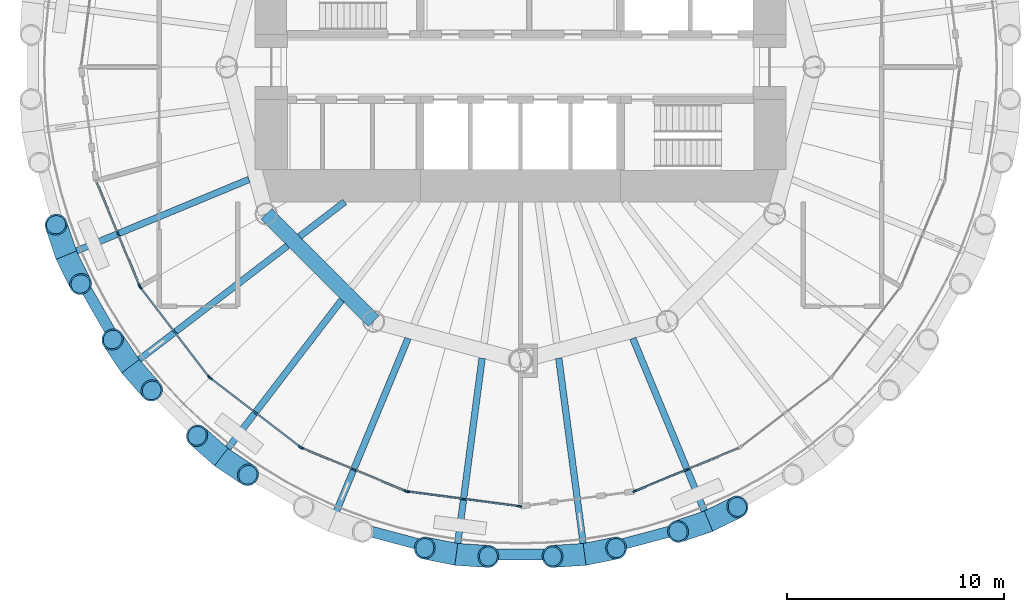
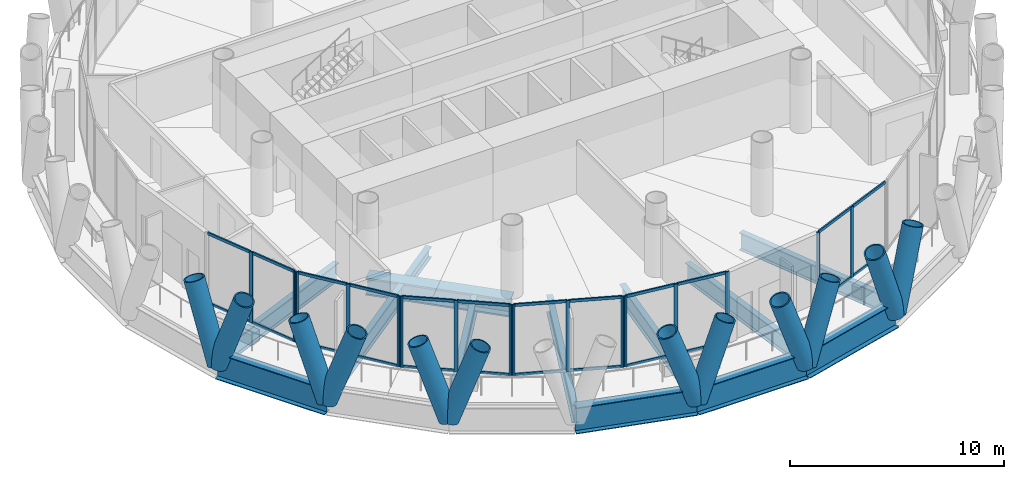
# One storey, part 2 of 13: 52 members, 13 beams, 6 elements without a shape of their own.
"""IFC4 building model written with IfcOpenShell, lengths in metres."""

from ifc_helpers import new_model, si_unit, direction, frame, origin, origin_2d, place, context, subcontext, project, spatial, rectangle, hollow_circle, i_section, extrude, material, material_profile, profile_set, type_object, element, aggregate, save


model = new_model("IFC4")

# Units and contexts
model_context = context("Model", 3, precision=1e-05, world=origin(), true_north=direction((0.0, 1.0)))
body_context = subcontext(model_context, "Body", "Model", "MODEL_VIEW")
ifc_project = project(units=[si_unit("LENGTHUNIT", "METRE"), si_unit("AREAUNIT", "SQUARE_METRE"), si_unit("VOLUMEUNIT", "CUBIC_METRE"), si_unit("PLANEANGLEUNIT", "RADIAN"), si_unit("MASSUNIT", "GRAM", prefix="KILO")], contexts=[model_context])

# Site, building, storey
site_placement = place(None, origin())
site = spatial("IfcSite", under=ifc_project, at=site_placement, CompositionType="ELEMENT")
building_placement = place(site_placement, origin())
building = spatial("IfcBuilding", under=site, at=building_placement, Name="Qaws Media Tower", CompositionType="ELEMENT")
storey_placement = place(building_placement, frame((0.0, 0.0, 219.199951171875)))
storey = spatial("IfcBuildingStorey", under=building, at=storey_placement, Name="L50", CompositionType="ELEMENT", Elevation=219.199951171875)

# Curtain wall, members
ifc_material_1 = material(Name="Aluminium and clear glass", Category="aluminium")
curtain_wall_type = type_object("IfcCurtainWallType", Name="Unitised curtain wall CW-C", PredefinedType="NOTDEFINED", material=ifc_material_1)
curtain_wall_1_placement = place(storey_placement, origin())
curtain_wall_1 = element("IfcCurtainWall", 1, at=curtain_wall_1_placement, inside=storey, type_object=curtain_wall_type, Name="CWC curtain wall L50-14", PredefinedType="NOTDEFINED")
ifc_material_2 = material(Name="Aluminium mullion", Category="aluminium")
ifc_material_profile_1 = material_profile(ifc_material_2, rectangle(XDim=0.080078125, YDim=0.199951171875, at=origin_2d()), Name="80x200")
ifc_profile_set_1 = profile_set([ifc_material_profile_1], Name="Aluminium mullion")
member_type_1 = type_object("IfcMemberType", Name="Curtain wall mullion 80x200", PredefinedType="MULLION", material=ifc_profile_set_1)
member_1_placement = place(storey_placement, frame((41.497314453125, 42.3359375, 0.0), z_axis=(0.0, 0.0, 1.0), x_axis=(0.923879493285, 0.382683527066, 0.0)))
member_1 = element("IfcMember", 2, at=member_1_placement, type_object=member_type_1, Name="CWC mullion 2", PredefinedType="MULLION", context=body_context, shape_type="SweptSolid", body=[
    extrude(rectangle(XDim=0.080078125, YDim=0.199951171875, at=origin_2d()), origin(), (0.0, 0.0, 1.0), 4.0400390625),
])
member_2_placement = place(storey_placement, frame((42.490966796875, 39.93701171875, 0.0), z_axis=(0.0, 0.0, 1.0), x_axis=(0.923879493285, 0.382683527066, 0.0)))
member_2 = element("IfcMember", 3, at=member_2_placement, type_object=member_type_1, Name="CWC mullion 3", PredefinedType="MULLION", context=body_context, shape_type="SweptSolid", body=[
    extrude(rectangle(XDim=0.080078125, YDim=0.199951171875, at=origin_2d()), origin(), (0.0, 0.0, 1.0), 4.0400390625),
])

curtain_wall_2_placement = place(storey_placement, origin())
curtain_wall_2 = element("IfcCurtainWall", 4, at=curtain_wall_2_placement, inside=storey, type_object=curtain_wall_type, Name="CWC curtain wall L50-15", PredefinedType="NOTDEFINED")
member_3_placement = place(storey_placement, frame((42.530517578125, 39.8681640625, 0.0), z_axis=(0.0, 0.0, 1.0), x_axis=(0.793353357865, 0.608761406106, 0.0)))
member_3 = element("IfcMember", 5, at=member_3_placement, type_object=member_type_1, Name="CWC mullion 1", PredefinedType="MULLION", context=body_context, shape_type="SweptSolid", body=[
    extrude(rectangle(XDim=0.080078125, YDim=0.199951171875, at=origin_2d()), origin(), (0.0, 0.0, 1.0), 4.0400390625),
])
member_4_placement = place(storey_placement, frame((44.111328125, 37.80810546875, 0.0), z_axis=(0.0, 0.0, 1.0), x_axis=(0.793353357865, 0.608761406106, 0.0)))
member_4 = element("IfcMember", 6, at=member_4_placement, type_object=member_type_1, Name="CWC mullion 2", PredefinedType="MULLION", context=body_context, shape_type="SweptSolid", body=[
    extrude(rectangle(XDim=0.080078125, YDim=0.199951171875, at=origin_2d()), origin(), (0.0, 0.0, 1.0), 4.0400390625),
])
member_5_placement = place(storey_placement, frame((45.692138671875, 35.748291015625, 0.0), z_axis=(0.0, 0.0, 1.0), x_axis=(0.793353357865, 0.608761406106, 0.0)))
member_5 = element("IfcMember", 7, at=member_5_placement, type_object=member_type_1, Name="CWC mullion 3", PredefinedType="MULLION", context=body_context, shape_type="SweptSolid", body=[
    extrude(rectangle(XDim=0.080078125, YDim=0.199951171875, at=origin_2d()), origin(), (0.0, 0.0, 1.0), 4.0400390625),
])

curtain_wall_3_placement = place(storey_placement, origin())
curtain_wall_3 = element("IfcCurtainWall", 8, at=curtain_wall_3_placement, inside=storey, type_object=curtain_wall_type, Name="CWC curtain wall L50-16", PredefinedType="NOTDEFINED")
member_6_placement = place(storey_placement, frame((45.748291015625, 35.692138671875, 0.0), z_axis=(0.0, 0.0, 1.0), x_axis=(0.608761406106, 0.793353357865, 0.0)))
member_6 = element("IfcMember", 9, at=member_6_placement, type_object=member_type_1, Name="CWC mullion 1", PredefinedType="MULLION", context=body_context, shape_type="SweptSolid", body=[
    extrude(rectangle(XDim=0.080078125, YDim=0.199951171875, at=origin_2d()), origin(), (0.0, 0.0, 1.0), 4.0400390625),
])
member_7_placement = place(storey_placement, frame((47.80810546875, 34.111328125, 0.0), z_axis=(0.0, 0.0, 1.0), x_axis=(0.608761406106, 0.793353357865, 0.0)))
member_7 = element("IfcMember", 10, at=member_7_placement, type_object=member_type_1, Name="CWC mullion 2", PredefinedType="MULLION", context=body_context, shape_type="SweptSolid", body=[
    extrude(rectangle(XDim=0.080078125, YDim=0.199951171875, at=origin_2d()), origin(), (0.0, 0.0, 1.0), 4.0400390625),
])
member_8_placement = place(storey_placement, frame((49.8681640625, 32.530517578125, 0.0), z_axis=(0.0, 0.0, 1.0), x_axis=(0.608761406106, 0.793353357865, 0.0)))
member_8 = element("IfcMember", 11, at=member_8_placement, type_object=member_type_1, Name="CWC mullion 3", PredefinedType="MULLION", context=body_context, shape_type="SweptSolid", body=[
    extrude(rectangle(XDim=0.080078125, YDim=0.199951171875, at=origin_2d()), origin(), (0.0, 0.0, 1.0), 4.0400390625),
])

curtain_wall_4_placement = place(storey_placement, origin())
curtain_wall_4 = element("IfcCurtainWall", 12, at=curtain_wall_4_placement, inside=storey, type_object=curtain_wall_type, Name="CWC curtain wall L50-17", PredefinedType="NOTDEFINED")
member_9_placement = place(storey_placement, frame((49.93701171875, 32.490966796875, 0.0), z_axis=(0.0, 0.0, 1.0), x_axis=(0.382683527066, 0.923879493285, 0.0)))
member_9 = element("IfcMember", 13, at=member_9_placement, type_object=member_type_1, Name="CWC mullion 1", PredefinedType="MULLION", context=body_context, shape_type="SweptSolid", body=[
    extrude(rectangle(XDim=0.080078125, YDim=0.199951171875, at=origin_2d()), origin(), (0.0, 0.0, 1.0), 4.0400390625),
])
member_10_placement = place(storey_placement, frame((52.3359375, 31.497314453125, 0.0), z_axis=(0.0, 0.0, 1.0), x_axis=(0.382683527066, 0.923879493285, 0.0)))
member_10 = element("IfcMember", 14, at=member_10_placement, type_object=member_type_1, Name="CWC mullion 2", PredefinedType="MULLION", context=body_context, shape_type="SweptSolid", body=[
    extrude(rectangle(XDim=0.080078125, YDim=0.199951171875, at=origin_2d()), origin(), (0.0, 0.0, 1.0), 4.0400390625),
])
member_11_placement = place(storey_placement, frame((54.73486328125, 30.503662109375, 0.0), z_axis=(0.0, 0.0, 1.0), x_axis=(0.382683527066, 0.923879493285, 0.0)))
member_11 = element("IfcMember", 15, at=member_11_placement, type_object=member_type_1, Name="CWC mullion 3", PredefinedType="MULLION", context=body_context, shape_type="SweptSolid", body=[
    extrude(rectangle(XDim=0.080078125, YDim=0.199951171875, at=origin_2d()), origin(), (0.0, 0.0, 1.0), 4.0400390625),
])

curtain_wall_5_placement = place(storey_placement, origin())
curtain_wall_5 = element("IfcCurtainWall", 16, at=curtain_wall_5_placement, inside=storey, type_object=curtain_wall_type, Name="CWC curtain wall L50-18", PredefinedType="NOTDEFINED")
member_12_placement = place(storey_placement, frame((54.8115234375, 30.483154296875, 0.0), z_axis=(0.0, 0.0, 1.0), x_axis=(0.130526127538, 0.991444869889, 0.0)))
member_12 = element("IfcMember", 17, at=member_12_placement, type_object=member_type_1, Name="CWC mullion 1", PredefinedType="MULLION", context=body_context, shape_type="SweptSolid", body=[
    extrude(rectangle(XDim=0.080078125, YDim=0.199951171875, at=origin_2d()), origin(), (0.0, 0.0, 1.0), 4.0400390625),
])
member_13_placement = place(storey_placement, frame((57.385986328125, 30.14404296875, 0.0), z_axis=(0.0, 0.0, 1.0), x_axis=(0.130526127538, 0.991444869889, 0.0)))
member_13 = element("IfcMember", 18, at=member_13_placement, type_object=member_type_1, Name="CWC mullion 2", PredefinedType="MULLION", context=body_context, shape_type="SweptSolid", body=[
    extrude(rectangle(XDim=0.080078125, YDim=0.199951171875, at=origin_2d()), origin(), (0.0, 0.0, 1.0), 4.0400390625),
])
member_14_placement = place(storey_placement, frame((59.96044921875, 29.80517578125, 0.0), z_axis=(0.0, 0.0, 1.0), x_axis=(0.130526127538, 0.991444869889, 0.0)))
member_14 = element("IfcMember", 19, at=member_14_placement, type_object=member_type_1, Name="CWC mullion 3", PredefinedType="MULLION", context=body_context, shape_type="SweptSolid", body=[
    extrude(rectangle(XDim=0.080078125, YDim=0.199951171875, at=origin_2d()), origin(), (0.0, 0.0, 1.0), 4.0400390625),
])

curtain_wall_6_placement = place(storey_placement, origin())
curtain_wall_6 = element("IfcCurtainWall", 20, at=curtain_wall_6_placement, inside=storey, type_object=curtain_wall_type, Name="CWC curtain wall L50-20", PredefinedType="NOTDEFINED")
member_15_placement = place(storey_placement, frame((65.26513671875, 30.503662109375, 0.0), z_axis=(0.0, 0.0, 1.0), x_axis=(-0.382683527066, 0.923879493285, 0.0)))
member_15 = element("IfcMember", 21, at=member_15_placement, type_object=member_type_1, Name="CWC mullion 1", PredefinedType="MULLION", context=body_context, shape_type="SweptSolid", body=[
    extrude(rectangle(XDim=0.080078125, YDim=0.199951171875, at=origin_2d()), origin(), (0.0, 0.0, 1.0), 4.0400390625),
])
member_16_placement = place(storey_placement, frame((67.6640625, 31.497314453125, 0.0), z_axis=(0.0, 0.0, 1.0), x_axis=(-0.382683527066, 0.923879493285, 0.0)))
member_16 = element("IfcMember", 22, at=member_16_placement, type_object=member_type_1, Name="CWC mullion 2", PredefinedType="MULLION", context=body_context, shape_type="SweptSolid", body=[
    extrude(rectangle(XDim=0.080078125, YDim=0.199951171875, at=origin_2d()), origin(), (0.0, 0.0, 1.0), 4.0400390625),
])

# Member
ifc_material_3 = material(Name="Aluminium transom", Category="aluminium")
ifc_material_profile_2 = material_profile(ifc_material_3, rectangle(XDim=0.080078125, YDim=0.159912109375, at=origin_2d()), Name="80x160")
ifc_profile_set_2 = profile_set([ifc_material_profile_2], Name="Aluminium transom")
member_type_2 = type_object("IfcMemberType", Name="Curtain wall transom 80x160", PredefinedType="USERDEFINED", material=ifc_profile_set_2)
member_17_placement = place(storey_placement, frame((40.518798828125, 44.697998046875, 0.0400390625), z_axis=(0.382685918986, -0.923878502515, 0.0), x_axis=(0.923878502515, 0.382685918986, 0.0)))
member_17 = element("IfcMember", 23, at=member_17_placement, type_object=member_type_2, Name="CWC transom 1.1", ObjectType="TRANSOM", PredefinedType="USERDEFINED", context=body_context, shape_type="SweptSolid", body=[
    extrude(rectangle(XDim=0.080078125, YDim=0.159912109375, at=origin_2d()), origin(), (0.0, 0.0, 1.0), 2.516845703125),
])

member_18_placement = place(storey_placement, frame((40.518798828125, 44.697998046875, 4.0), z_axis=(0.382685918986, -0.923878502515, 0.0), x_axis=(0.923878502515, 0.382685918986, 0.0)))
member_18 = element("IfcMember", 24, at=member_18_placement, type_object=member_type_2, Name="CWC transom 1.2", ObjectType="TRANSOM", PredefinedType="USERDEFINED", context=body_context, shape_type="SweptSolid", body=[
    extrude(rectangle(XDim=0.080078125, YDim=0.159912109375, at=origin_2d()), origin(), (0.0, 0.0, 1.0), 2.516845703125),
])

member_19_placement = place(storey_placement, frame((41.5126953125, 42.299072265625, 0.0400390625), z_axis=(0.382603115355, -0.923912796816, 0.0), x_axis=(0.923912796816, 0.382603115355, 0.0)))
member_19 = element("IfcMember", 25, at=member_19_placement, type_object=member_type_2, Name="CWC transom 2.1", ObjectType="TRANSOM", PredefinedType="USERDEFINED", context=body_context, shape_type="SweptSolid", body=[
    extrude(rectangle(XDim=0.080078125, YDim=0.159912109375, at=origin_2d()), origin(), (0.0, 0.0, 1.0), 2.5166015625),
])

member_20_placement = place(storey_placement, frame((41.5126953125, 42.299072265625, 4.0), z_axis=(0.382603115355, -0.923912796816, 0.0), x_axis=(0.923912796816, 0.382603115355, 0.0)))
member_20 = element("IfcMember", 26, at=member_20_placement, type_object=member_type_2, Name="CWC transom 2.2", ObjectType="TRANSOM", PredefinedType="USERDEFINED", context=body_context, shape_type="SweptSolid", body=[
    extrude(rectangle(XDim=0.080078125, YDim=0.159912109375, at=origin_2d()), origin(), (0.0, 0.0, 1.0), 2.5166015625),
])

aggregate(curtain_wall_1, [member_1, member_2, member_17, member_18, member_19, member_20])

member_21_placement = place(storey_placement, frame((42.554931640625, 39.83642578125, 0.0400390625), z_axis=(0.608749210327, -0.793362715866, 0.0), x_axis=(0.793362715866, 0.608749210327, 0.0)))
member_21 = element("IfcMember", 27, at=member_21_placement, type_object=member_type_2, Name="CWC transom 1.1", ObjectType="TRANSOM", PredefinedType="USERDEFINED", context=body_context, shape_type="SweptSolid", body=[
    extrude(rectangle(XDim=0.080078125, YDim=0.159912109375, at=origin_2d()), origin(), (0.0, 0.0, 1.0), 2.5166015625),
])

member_22_placement = place(storey_placement, frame((42.554931640625, 39.83642578125, 4.0), z_axis=(0.608749210327, -0.793362715866, 0.0), x_axis=(0.793362715866, 0.608749210327, 0.0)))
member_22 = element("IfcMember", 28, at=member_22_placement, type_object=member_type_2, Name="CWC transom 1.2", ObjectType="TRANSOM", PredefinedType="USERDEFINED", context=body_context, shape_type="SweptSolid", body=[
    extrude(rectangle(XDim=0.080078125, YDim=0.159912109375, at=origin_2d()), origin(), (0.0, 0.0, 1.0), 2.5166015625),
])

member_23_placement = place(storey_placement, frame((44.1357421875, 37.7763671875, 0.0400390625), z_axis=(0.608796065599, -0.793326761499, 0.0), x_axis=(0.793326761499, 0.608796065599, 0.0)))
member_23 = element("IfcMember", 29, at=member_23_placement, type_object=member_type_2, Name="CWC transom 2.1", ObjectType="TRANSOM", PredefinedType="USERDEFINED", context=body_context, shape_type="SweptSolid", body=[
    extrude(rectangle(XDim=0.080078125, YDim=0.159912109375, at=origin_2d()), origin(), (0.0, 0.0, 1.0), 2.516357421875),
])

member_24_placement = place(storey_placement, frame((44.1357421875, 37.7763671875, 4.0), z_axis=(0.608796065599, -0.793326761499, 0.0), x_axis=(0.793326761499, 0.608796065599, 0.0)))
member_24 = element("IfcMember", 30, at=member_24_placement, type_object=member_type_2, Name="CWC transom 2.2", ObjectType="TRANSOM", PredefinedType="USERDEFINED", context=body_context, shape_type="SweptSolid", body=[
    extrude(rectangle(XDim=0.080078125, YDim=0.159912109375, at=origin_2d()), origin(), (0.0, 0.0, 1.0), 2.516357421875),
])

aggregate(curtain_wall_2, [member_3, member_4, member_5, member_21, member_22, member_23, member_24])

member_25_placement = place(storey_placement, frame((45.780029296875, 35.667724609375, 0.0400390625), z_axis=(0.793326761499, -0.608796065599, 0.0), x_axis=(0.608796065599, 0.793326761499, 0.0)))
member_25 = element("IfcMember", 31, at=member_25_placement, type_object=member_type_2, Name="CWC transom 1.1", ObjectType="TRANSOM", PredefinedType="USERDEFINED", context=body_context, shape_type="SweptSolid", body=[
    extrude(rectangle(XDim=0.080078125, YDim=0.159912109375, at=origin_2d()), origin(), (0.0, 0.0, 1.0), 2.516357421875),
])

member_26_placement = place(storey_placement, frame((45.780029296875, 35.667724609375, 4.0), z_axis=(0.793326761499, -0.608796065599, 0.0), x_axis=(0.608796065599, 0.793326761499, 0.0)))
member_26 = element("IfcMember", 32, at=member_26_placement, type_object=member_type_2, Name="CWC transom 1.2", ObjectType="TRANSOM", PredefinedType="USERDEFINED", context=body_context, shape_type="SweptSolid", body=[
    extrude(rectangle(XDim=0.080078125, YDim=0.159912109375, at=origin_2d()), origin(), (0.0, 0.0, 1.0), 2.516357421875),
])

member_27_placement = place(storey_placement, frame((47.83984375, 34.0869140625, 0.0400390625), z_axis=(0.793362715866, -0.608749210327, 0.0), x_axis=(0.608749210327, 0.793362715866, 0.0)))
member_27 = element("IfcMember", 33, at=member_27_placement, type_object=member_type_2, Name="CWC transom 2.1", ObjectType="TRANSOM", PredefinedType="USERDEFINED", context=body_context, shape_type="SweptSolid", body=[
    extrude(rectangle(XDim=0.080078125, YDim=0.159912109375, at=origin_2d()), origin(), (0.0, 0.0, 1.0), 2.5166015625),
])

member_28_placement = place(storey_placement, frame((47.83984375, 34.0869140625, 4.0), z_axis=(0.793362715866, -0.608749210327, 0.0), x_axis=(0.608749210327, 0.793362715866, 0.0)))
member_28 = element("IfcMember", 34, at=member_28_placement, type_object=member_type_2, Name="CWC transom 2.2", ObjectType="TRANSOM", PredefinedType="USERDEFINED", context=body_context, shape_type="SweptSolid", body=[
    extrude(rectangle(XDim=0.080078125, YDim=0.159912109375, at=origin_2d()), origin(), (0.0, 0.0, 1.0), 2.5166015625),
])

aggregate(curtain_wall_3, [member_6, member_7, member_8, member_25, member_26, member_27, member_28])

member_29_placement = place(storey_placement, frame((49.973876953125, 32.4755859375, 0.0400390625), z_axis=(0.923912796816, -0.382603115355, 0.0), x_axis=(0.382603115355, 0.923912796816, 0.0)))
member_29 = element("IfcMember", 35, at=member_29_placement, type_object=member_type_2, Name="CWC transom 1.1", ObjectType="TRANSOM", PredefinedType="USERDEFINED", context=body_context, shape_type="SweptSolid", body=[
    extrude(rectangle(XDim=0.080078125, YDim=0.159912109375, at=origin_2d()), origin(), (0.0, 0.0, 1.0), 2.5166015625),
])

member_30_placement = place(storey_placement, frame((49.973876953125, 32.4755859375, 4.0), z_axis=(0.923912796816, -0.382603115355, 0.0), x_axis=(0.382603115355, 0.923912796816, 0.0)))
member_30 = element("IfcMember", 36, at=member_30_placement, type_object=member_type_2, Name="CWC transom 1.2", ObjectType="TRANSOM", PredefinedType="USERDEFINED", context=body_context, shape_type="SweptSolid", body=[
    extrude(rectangle(XDim=0.080078125, YDim=0.159912109375, at=origin_2d()), origin(), (0.0, 0.0, 1.0), 2.5166015625),
])

member_31_placement = place(storey_placement, frame((52.372802734375, 31.48193359375, 0.0400390625), z_axis=(0.923878502515, -0.382685918986, 0.0), x_axis=(0.382685918986, 0.923878502515, 0.0)))
member_31 = element("IfcMember", 37, at=member_31_placement, type_object=member_type_2, Name="CWC transom 2.1", ObjectType="TRANSOM", PredefinedType="USERDEFINED", context=body_context, shape_type="SweptSolid", body=[
    extrude(rectangle(XDim=0.080078125, YDim=0.159912109375, at=origin_2d()), origin(), (0.0, 0.0, 1.0), 2.516845703125),
])

member_32_placement = place(storey_placement, frame((52.372802734375, 31.48193359375, 4.0), z_axis=(0.923878502515, -0.382685918986, 0.0), x_axis=(0.382685918986, 0.923878502515, 0.0)))
member_32 = element("IfcMember", 38, at=member_32_placement, type_object=member_type_2, Name="CWC transom 2.2", ObjectType="TRANSOM", PredefinedType="USERDEFINED", context=body_context, shape_type="SweptSolid", body=[
    extrude(rectangle(XDim=0.080078125, YDim=0.159912109375, at=origin_2d()), origin(), (0.0, 0.0, 1.0), 2.516845703125),
])

aggregate(curtain_wall_4, [member_9, member_10, member_11, member_29, member_30, member_31, member_32])

member_33_placement = place(storey_placement, frame((54.85107421875, 30.477783203125, 0.0400390625), z_axis=(0.99145099329, -0.130479607238, 0.0), x_axis=(0.130479607238, 0.99145099329, 0.0)))
member_33 = element("IfcMember", 39, at=member_33_placement, type_object=member_type_2, Name="CWC transom 1.1", ObjectType="TRANSOM", PredefinedType="USERDEFINED", context=body_context, shape_type="SweptSolid", body=[
    extrude(rectangle(XDim=0.080078125, YDim=0.159912109375, at=origin_2d()), origin(), (0.0, 0.0, 1.0), 2.5166015625),
])

member_34_placement = place(storey_placement, frame((54.85107421875, 30.477783203125, 4.0), z_axis=(0.99145099329, -0.130479607238, 0.0), x_axis=(0.130479607238, 0.99145099329, 0.0)))
member_34 = element("IfcMember", 40, at=member_34_placement, type_object=member_type_2, Name="CWC transom 1.2", ObjectType="TRANSOM", PredefinedType="USERDEFINED", context=body_context, shape_type="SweptSolid", body=[
    extrude(rectangle(XDim=0.080078125, YDim=0.159912109375, at=origin_2d()), origin(), (0.0, 0.0, 1.0), 2.5166015625),
])

member_35_placement = place(storey_placement, frame((57.425537109375, 30.138916015625, 0.0400390625), z_axis=(0.99145099329, -0.130479607238, 0.0), x_axis=(0.130479607238, 0.99145099329, 0.0)))
member_35 = element("IfcMember", 41, at=member_35_placement, type_object=member_type_2, Name="CWC transom 2.1", ObjectType="TRANSOM", PredefinedType="USERDEFINED", context=body_context, shape_type="SweptSolid", body=[
    extrude(rectangle(XDim=0.080078125, YDim=0.159912109375, at=origin_2d()), origin(), (0.0, 0.0, 1.0), 2.5166015625),
])

member_36_placement = place(storey_placement, frame((57.425537109375, 30.138916015625, 4.0), z_axis=(0.99145099329, -0.130479607238, 0.0), x_axis=(0.130479607238, 0.99145099329, 0.0)))
member_36 = element("IfcMember", 42, at=member_36_placement, type_object=member_type_2, Name="CWC transom 2.2", ObjectType="TRANSOM", PredefinedType="USERDEFINED", context=body_context, shape_type="SweptSolid", body=[
    extrude(rectangle(XDim=0.080078125, YDim=0.159912109375, at=origin_2d()), origin(), (0.0, 0.0, 1.0), 2.5166015625),
])

aggregate(curtain_wall_5, [member_12, member_13, member_14, member_33, member_34, member_35, member_36])

member_37_placement = place(storey_placement, frame((65.302001953125, 30.518798828125, 0.0400390625), z_axis=(0.923878502515, 0.382685918986, 0.0), x_axis=(-0.382685918986, 0.923878502515, 0.0)))
member_37 = element("IfcMember", 43, at=member_37_placement, type_object=member_type_2, Name="CWC transom 1.1", ObjectType="TRANSOM", PredefinedType="USERDEFINED", context=body_context, shape_type="SweptSolid", body=[
    extrude(rectangle(XDim=0.080078125, YDim=0.159912109375, at=origin_2d()), origin(), (0.0, 0.0, 1.0), 2.516845703125),
])

member_38_placement = place(storey_placement, frame((65.302001953125, 30.518798828125, 4.0), z_axis=(0.923878502515, 0.382685918986, 0.0), x_axis=(-0.382685918986, 0.923878502515, 0.0)))
member_38 = element("IfcMember", 44, at=member_38_placement, type_object=member_type_2, Name="CWC transom 1.2", ObjectType="TRANSOM", PredefinedType="USERDEFINED", context=body_context, shape_type="SweptSolid", body=[
    extrude(rectangle(XDim=0.080078125, YDim=0.159912109375, at=origin_2d()), origin(), (0.0, 0.0, 1.0), 2.516845703125),
])

member_39_placement = place(storey_placement, frame((67.700927734375, 31.5126953125, 0.0400390625), z_axis=(0.923912796816, 0.382603115355, 0.0), x_axis=(-0.382603115355, 0.923912796816, 0.0)))
member_39 = element("IfcMember", 45, at=member_39_placement, type_object=member_type_2, Name="CWC transom 2.1", ObjectType="TRANSOM", PredefinedType="USERDEFINED", context=body_context, shape_type="SweptSolid", body=[
    extrude(rectangle(XDim=0.080078125, YDim=0.159912109375, at=origin_2d()), origin(), (0.0, 0.0, 1.0), 2.5166015625),
])

member_40_placement = place(storey_placement, frame((67.700927734375, 31.5126953125, 4.0), z_axis=(0.923912796816, 0.382603115355, 0.0), x_axis=(-0.382603115355, 0.923912796816, 0.0)))
member_40 = element("IfcMember", 46, at=member_40_placement, type_object=member_type_2, Name="CWC transom 2.2", ObjectType="TRANSOM", PredefinedType="USERDEFINED", context=body_context, shape_type="SweptSolid", body=[
    extrude(rectangle(XDim=0.080078125, YDim=0.159912109375, at=origin_2d()), origin(), (0.0, 0.0, 1.0), 2.5166015625),
])

aggregate(curtain_wall_6, [member_15, member_16, member_37, member_38, member_39, member_40])

# Members
ifc_material_4 = material(Name="Steel S460", Category="steel")
ifc_material_profile_3 = material_profile(ifc_material_4, hollow_circle(Radius=0.508056640625, WallThickness=0.070068359375, at=origin_2d()), Name="CHS 1016x70")
ifc_profile_set_3 = profile_set([ifc_material_profile_3], Name="Steel S460")
member_type_3 = type_object("IfcMemberType", Name="Diagrid member CHS 1016x70", PredefinedType="USERDEFINED", material=ifc_profile_set_3)
for number, where, z_axis, x_axis, name in (
    (47, (39.120361328125, 41.351318359375, -0.909912109375), (0.147170845427, -0.297576817485, 0.943286160161), (0.896367681621, 0.44331137967, 0.0), "DG3 diagrid L50 A14"),
    (48, (39.120361328125, 41.351318359375, -0.909912109375), (-0.106375727673, 0.314466390826, 0.943289506781), (-0.947269973366, -0.320436573379, 0.0), "DG3 diagrid L50 B14"),
    (49, (42.0703125, 36.241943359375, -0.909912109375), (0.219115557544, -0.249328938977, 0.943304538646), (0.751152487115, 0.660128730704, 0.0), "DG3 diagrid L50 A15"),
):
    element("IfcMember", number, at=place(storey_placement, frame(where, z_axis=z_axis, x_axis=x_axis)), inside=storey, type_object=member_type_3, Name=name, ObjectType="DIAGRID", PredefinedType="USERDEFINED", context=body_context, shape_type="SweptSolid", body=[
        extrude(hollow_circle(Radius=0.508056640625, WallThickness=0.070068359375, at=origin_2d()), origin(), (0.0, 0.0, 1.0), 4.452392578125),
    ])
for number, where, z_axis, x_axis, name in (
    (50, (42.0703125, 36.241943359375, -0.909912109375), (-0.184180633608, 0.27624353442, 0.943274617434), (-0.832024885798, -0.554738307145, 0.0), "DG3 diagrid L50 B15"),
    (51, (46.241943359375, 32.0703125, -0.909912109375), (0.27624353442, -0.184180633608, 0.943274617434), (0.554738307145, 0.832024885798, 0.0), "DG3 diagrid L50 A16"),
):
    element("IfcMember", number, at=place(storey_placement, frame(where, z_axis=z_axis, x_axis=x_axis)), inside=storey, type_object=member_type_3, Name=name, ObjectType="DIAGRID", PredefinedType="USERDEFINED", context=body_context, shape_type="SweptSolid", body=[
        extrude(hollow_circle(Radius=0.508056640625, WallThickness=0.070068359375, at=origin_2d()), origin(), (0.0, 0.0, 1.0), 4.45263671875),
    ])
for number, where, z_axis, x_axis, name in (
    (52, (46.241943359375, 32.0703125, -0.909912109375), (-0.249328938977, 0.219115557544, 0.943304538646), (-0.660128730704, -0.751152487115, 0.0), "DG3 diagrid L50 B16"),
    (53, (57.050048828125, 27.59326171875, -0.909912109375), (0.331298451935, -0.02132987385, 0.943284883918), (0.064249631042, 0.997933857984, 0.0), "DG3 diagrid L50 A18"),
    (54, (57.050048828125, 27.59326171875, -0.909912109375), (-0.325490917844, 0.065142050269, 0.943298561267), (-0.196243201091, -0.980555253938, 0.0), "DG3 diagrid L50 B18"),
    (55, (62.949951171875, 27.59326171875, -0.909912109375), (0.325490917844, 0.065142050269, 0.943298561267), (-0.196243201091, 0.980555253938, 0.0), "DG3 diagrid L50 A19"),
    (56, (62.949951171875, 27.59326171875, -0.909912109375), (-0.331298451935, -0.02132987385, 0.943284883918), (0.064249631042, -0.997933857984, 0.0), "DG3 diagrid L50 B19"),
    (57, (68.648681640625, 29.120361328125, -0.909912109375), (0.297576817485, 0.147170845427, 0.943286160161), (-0.44331137967, 0.896367681621, 0.0), "DG3 diagrid L50 A20"),
    (58, (68.648681640625, 29.120361328125, -0.909912109375), (-0.314466390826, -0.106375727673, 0.943289506781), (0.320436573379, -0.947269973366, 0.0), "DG3 diagrid L50 B20"),
):
    element("IfcMember", number, at=place(storey_placement, frame(where, z_axis=z_axis, x_axis=x_axis)), inside=storey, type_object=member_type_3, Name=name, ObjectType="DIAGRID", PredefinedType="USERDEFINED", context=body_context, shape_type="SweptSolid", body=[
        extrude(hollow_circle(Radius=0.508056640625, WallThickness=0.070068359375, at=origin_2d()), origin(), (0.0, 0.0, 1.0), 4.452392578125),
    ])

# Beams
ifc_material_5 = material(Name="Steel S460", Category="steel")
ifc_material_profile_4 = material_profile(ifc_material_5, i_section(OverallWidth=0.5, OverallDepth=1.5, WebThickness=0.02001953125, FlangeThickness=0.0400390625, at=origin_2d()), Name="PG 1500x500")
ifc_profile_set_4 = profile_set([ifc_material_profile_4], Name="Steel S460")
beam_type_1 = type_object("IfcBeamType", Name="Edge ring beam PG 1500x500", PredefinedType="BEAM", material=ifc_profile_set_4)
for number, where, z_axis, x_axis, name in (
    (59, (39.120361328125, 41.351318359375, -0.909912109375), (0.500006628179, -0.86602157697, 0.0), (0.86602157697, 0.500006628179, 0.0), "RB4 edge ring beam L50-14"),
    (60, (51.351318359375, 29.120361328125, -0.909912109375), (0.965920343576, -0.258839506001, 0.0), (0.258839506001, 0.965920343576, 0.0), "RB4 edge ring beam L50-17"),
    (61, (57.050048828125, 27.59326171875, -0.909912109375), (1.0, 0.0, 0.0), (0.0, 1.0, 0.0), "RB4 edge ring beam L50-18"),
    (62, (62.949951171875, 27.59326171875, -0.909912109375), (0.965920343576, 0.258839506001, 0.0), (-0.258839506001, 0.965920343576, 0.0), "RB4 edge ring beam L50-19"),
):
    element("IfcBeam", number, at=place(storey_placement, frame(where, z_axis=z_axis, x_axis=x_axis)), inside=storey, type_object=beam_type_1, Name=name, PredefinedType="BEAM", context=body_context, shape_type="SweptSolid", body=[
        extrude(i_section(OverallWidth=0.5, OverallDepth=1.5, WebThickness=0.02001953125, FlangeThickness=0.0400390625, at=origin_2d()), origin(), (0.0, 0.0, 1.0), 5.89990234375),
    ])
ifc_material_6 = material(Name="Steel S460", Category="steel")
ifc_material_profile_5 = material_profile(ifc_material_6, i_section(OverallWidth=0.699951171875, OverallDepth=1.0, WebThickness=0.034912109375, FlangeThickness=0.090087890625, at=origin_2d()), Name="PG 1000x700")
ifc_profile_set_5 = profile_set([ifc_material_profile_5], Name="Steel S460")
beam_type_2 = type_object("IfcBeamType", Name="Inner ring girder PG 1000x700", PredefinedType="BEAM", material=ifc_profile_set_5)
beam_1_placement = place(storey_placement, frame((48.30859375, 43.25, -0.659912109375), z_axis=(0.707106781187, -0.707106781187, 0.0), x_axis=(0.707106781187, 0.707106781187, 0.0)))
element("IfcBeam", 63, at=beam_1_placement, inside=storey, type_object=beam_type_2, Name="B3 inner ring beam L50 I08-I09", PredefinedType="BEAM", context=body_context, shape_type="SweptSolid", body=[
    extrude(i_section(OverallWidth=0.699951171875, OverallDepth=1.0, WebThickness=0.034912109375, FlangeThickness=0.090087890625, at=origin_2d()), origin(), (0.0, 0.0, 1.0), 6.98828125),
])
ifc_material_7 = material(Name="Steel S355", Category="steel")
ifc_material_profile_6 = material_profile(ifc_material_7, i_section(OverallWidth=0.302001953125, OverallDepth=1.008056640625, WebThickness=0.02099609375, FlangeThickness=0.0400390625, FilletRadius=0.030029296875, at=origin_2d()), Name="HE 1000 M")
ifc_profile_set_6 = profile_set([ifc_material_profile_6], Name="Steel S355")
beam_type_3 = type_object("IfcBeamType", Name="Radial beam HE 1000 M", PredefinedType="BEAM", material=ifc_profile_set_6)
beam_2_placement = place(storey_placement, frame((47.5224609375, 44.83154296875, -0.6640625), z_axis=(-0.923881048722, -0.382679771888, 0.0), x_axis=(0.382679771888, -0.923881048722, 0.0)))
element("IfcBeam", 64, at=beam_2_placement, inside=storey, type_object=beam_type_3, Name="B1 radial beam L50 14", PredefinedType="BEAM", context=body_context, shape_type="SweptSolid", body=[
    extrude(i_section(OverallWidth=0.302001953125, OverallDepth=1.008056640625, WebThickness=0.02099609375, FlangeThickness=0.0400390625, FilletRadius=0.030029296875, at=origin_2d()), origin(), (0.0, 0.0, 1.0), 9.09423828125),
])
for number, where, z_axis, x_axis, name in (
    (65, (49.285400390625, 41.7783203125, -0.6640625), (-0.793350934935, -0.608764563717, 0.0), (0.608764563717, -0.793350934935, 0.0), "B1 radial beam L50 15"),
    (66, (51.7783203125, 39.285400390625, -0.6640625), (-0.608764563717, -0.793350934935, 0.0), (0.793350934935, -0.608764563717, 0.0), "B1 radial beam L50 16"),
):
    element("IfcBeam", number, at=place(storey_placement, frame(where, z_axis=z_axis, x_axis=x_axis)), inside=storey, type_object=beam_type_3, Name=name, PredefinedType="BEAM", context=body_context, shape_type="SweptSolid", body=[
        extrude(i_section(OverallWidth=0.302001953125, OverallDepth=1.008056640625, WebThickness=0.02099609375, FlangeThickness=0.0400390625, FilletRadius=0.030029296875, at=origin_2d()), origin(), (0.0, 0.0, 1.0), 9.094482421875),
    ])
beam_3_placement = place(storey_placement, frame((54.83154296875, 37.5224609375, -0.6640625), z_axis=(-0.382679771888, -0.923881048722, 0.0), x_axis=(0.923881048722, -0.382679771888, 0.0)))
element("IfcBeam", 67, at=beam_3_placement, inside=storey, type_object=beam_type_3, Name="B1 radial beam L50 17", PredefinedType="BEAM", context=body_context, shape_type="SweptSolid", body=[
    extrude(i_section(OverallWidth=0.302001953125, OverallDepth=1.008056640625, WebThickness=0.02099609375, FlangeThickness=0.0400390625, FilletRadius=0.030029296875, at=origin_2d()), origin(), (0.0, 0.0, 1.0), 9.09423828125),
])
for number, where, z_axis, x_axis, name in (
    (68, (58.237060546875, 36.610107421875, -0.6640625), (-0.130517703661, -0.991445978877, 0.0), (0.991445978877, -0.130517703661, 0.0), "B1 radial beam L50 18"),
    (69, (61.762939453125, 36.610107421875, -0.6640625), (0.130517703661, -0.991445978877, 0.0), (0.991445978877, 0.130517703661, 0.0), "B1 radial beam L50 19"),
):
    element("IfcBeam", number, at=place(storey_placement, frame(where, z_axis=z_axis, x_axis=x_axis)), inside=storey, type_object=beam_type_3, Name=name, PredefinedType="BEAM", context=body_context, shape_type="SweptSolid", body=[
        extrude(i_section(OverallWidth=0.302001953125, OverallDepth=1.008056640625, WebThickness=0.02099609375, FlangeThickness=0.0400390625, FilletRadius=0.030029296875, at=origin_2d()), origin(), (0.0, 0.0, 1.0), 9.0947265625),
    ])
beam_4_placement = place(storey_placement, frame((65.16845703125, 37.5224609375, -0.6640625), z_axis=(0.382679771888, -0.923881048722, 0.0), x_axis=(0.923881048722, 0.382679771888, 0.0)))
element("IfcBeam", 70, at=beam_4_placement, inside=storey, type_object=beam_type_3, Name="B1 radial beam L50 20", PredefinedType="BEAM", context=body_context, shape_type="SweptSolid", body=[
    extrude(i_section(OverallWidth=0.302001953125, OverallDepth=1.008056640625, WebThickness=0.02099609375, FlangeThickness=0.0400390625, FilletRadius=0.030029296875, at=origin_2d()), origin(), (0.0, 0.0, 1.0), 9.09423828125),
])
ifc_material_8 = material(Name="Steel S355", Category="steel")
ifc_material_profile_7 = material_profile(ifc_material_8, i_section(OverallWidth=0.304931640625, OverallDepth=0.6201171875, WebThickness=0.02099609375, FlangeThickness=0.0400390625, FilletRadius=0.027099609375, at=origin_2d()), Name="HE 600 M")
ifc_profile_set_7 = profile_set([ifc_material_profile_7], Name="Steel S355")
beam_type_4 = type_object("IfcBeamType", Name="Radial beam HE 600 M, core side", PredefinedType="BEAM", material=ifc_profile_set_7)
beam_5_placement = place(storey_placement, frame((51.919921875, 43.800048828125, -0.469970703125), z_axis=(-0.793352321936, -0.608762756152, 0.0), x_axis=(0.608762756152, -0.793352321936, 0.0)))
element("IfcBeam", 71, at=beam_5_placement, inside=storey, type_object=beam_type_4, Name="B2 radial beam L50 15", PredefinedType="BEAM", context=body_context, shape_type="SweptSolid", body=[
    extrude(i_section(OverallWidth=0.304931640625, OverallDepth=0.6201171875, WebThickness=0.02099609375, FlangeThickness=0.0400390625, FilletRadius=0.027099609375, at=origin_2d()), origin(), (0.0, 0.0, 1.0), 2.61474609375),
])

save(model, "model.ifc")
